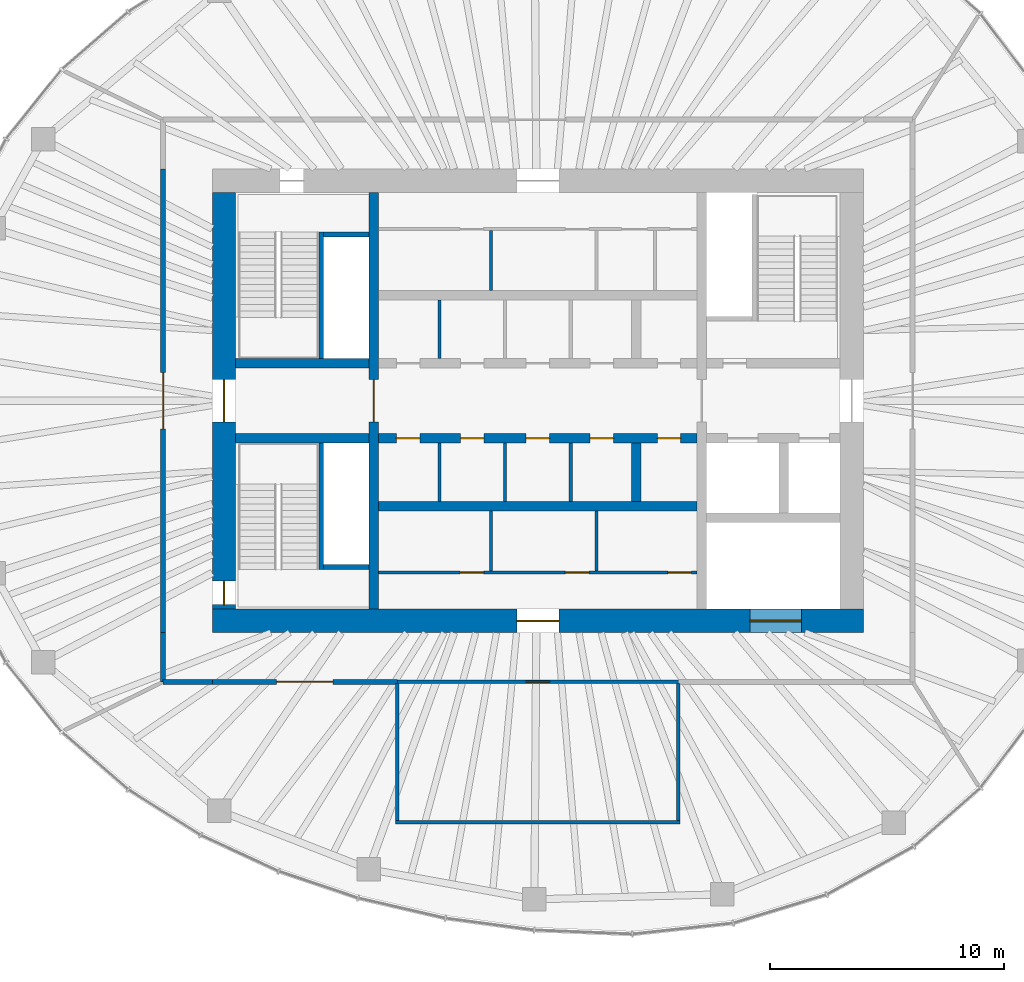
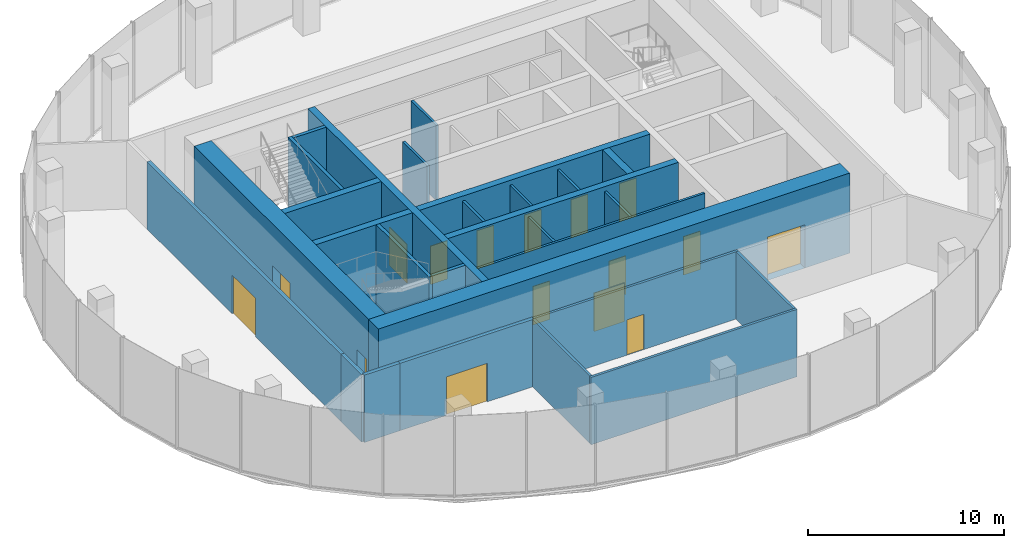
# One storey, part 8 of 11: 28 walls, 16 doors, 16 openings.
"""IFC4 building model written with IfcOpenShell, lengths in metres."""

import ifcopenshell
import ifcopenshell.guid

model = None  # the IFC model being written
_history = None  # IfcOwnerHistory: only IFC2X3 demands one
_inside = {}  # id of a spatial element -> (the spatial element, [elements in it])
_under = {}  # id of a project, library or spatial element -> (it, [spatial elements below it])
_declared = {}  # id of a project -> (the project, [libraries it declares])
_typed = {}  # id of a type object -> (the type object, [elements of that type])
_made_of = {}  # id of a material, layer set ... -> (it, [elements and type objects made of it])


def new_model(schema):
    """Start an empty IFC model of exactly this schema.

    Asked for "IFC4X3", IfcOpenShell would pick the latest addendum, in which some entities
    have other attributes; the version numbers below select the first issue.
    IFC2X3 requires an IfcOwnerHistory on every rooted entity: one is made here for all.
    """
    global model, _history
    if schema == "IFC4X3":
        model = ifcopenshell.file(schema_version=(4, 3, 0, 0))
    else:
        model = ifcopenshell.file(schema=schema)
    _inside.clear()
    _under.clear()
    _declared.clear()
    _typed.clear()
    _made_of.clear()
    _history = None
    if model.schema == "IFC2X3":
        org = make("IfcOrganization", Name="unknown")
        user = make(
            "IfcPersonAndOrganization",
            ThePerson=make("IfcPerson", FamilyName="unknown"),
            TheOrganization=org,
        )
        app = make(
            "IfcApplication",
            ApplicationDeveloper=org,
            Version="unknown",
            ApplicationFullName="unknown",
            ApplicationIdentifier="unknown",
        )
        _history = make(
            "IfcOwnerHistory",
            OwningUser=user,
            OwningApplication=app,
            ChangeAction="ADDED",
            CreationDate=0,
        )
    return model


def make(cls, **values):
    """One entity of the class cls with the attributes given. An attribute that is None is left unset."""
    return model.create_entity(
        cls, **{name: value for name, value in values.items() if value is not None}
    )


def rooted(cls, **values):
    """An entity with a GlobalId (a new one), such as an element, a storey or a relation."""
    return make(cls, GlobalId=ifcopenshell.guid.new(), OwnerHistory=_history, **values)


def si_unit(unit_type, name, prefix=None):
    """IfcSIUnit, for example si_unit("LENGTHUNIT", "METRE", prefix="MILLI")."""
    return make("IfcSIUnit", UnitType=unit_type, Prefix=prefix, Name=name)


def assignment(units):
    """IfcUnitAssignment: the units of a project."""
    return None if units is None else make("IfcUnitAssignment", Units=units)


def point(xyz):
    """IfcCartesianPoint."""
    return None if xyz is None else make("IfcCartesianPoint", Coordinates=xyz)


def direction(xyz):
    """IfcDirection."""
    return None if xyz is None else make("IfcDirection", DirectionRatios=xyz)


def frame(location, z_axis=None, x_axis=None):
    """IfcAxis2Placement3D, a coordinate frame: its origin and axes. An axis left out is left unset."""
    return make(
        "IfcAxis2Placement3D",
        Location=point(location),
        Axis=direction(z_axis),
        RefDirection=direction(x_axis),
    )


def frame_2d(location, x_axis=None):
    """IfcAxis2Placement2D, a coordinate frame in the plane: its origin and x axis."""
    return make(
        "IfcAxis2Placement2D", Location=point(location), RefDirection=direction(x_axis)
    )


def origin():
    """The frame at (0, 0, 0) with its axes left unset."""
    return frame((0.0, 0.0, 0.0))


def place(relative_to, where):
    """IfcLocalPlacement: puts the frame where relative to a parent placement (None: the world)."""
    return make(
        "IfcLocalPlacement", PlacementRelTo=relative_to, RelativePlacement=where
    )


def context(
    kind, dimensions, precision=None, world=None, true_north=None, identifier=None
):
    """IfcGeometricRepresentationContext, for example the 3D "Model" context."""
    return make(
        "IfcGeometricRepresentationContext",
        ContextIdentifier=identifier,
        ContextType=kind,
        CoordinateSpaceDimension=dimensions,
        Precision=precision,
        WorldCoordinateSystem=world,
        TrueNorth=true_north,
    )


def subcontext(parent, identifier, kind, view, scale=None):
    """IfcGeometricRepresentationSubContext, for example "Body" below "Model"."""
    return make(
        "IfcGeometricRepresentationSubContext",
        ContextIdentifier=identifier,
        ContextType=kind,
        ParentContext=parent,
        TargetScale=scale,
        TargetView=view,
    )


def project(units=None, contexts=None):
    """IfcProject with its units and contexts."""
    return rooted(
        "IfcProject",
        Name="project",
        RepresentationContexts=contexts,
        UnitsInContext=assignment(units),
    )


def spatial(cls, under=None, at=None, **own):
    """A site, building, storey or space (cls), placed at a placement, below another one or the project."""
    s = rooted(cls, ObjectPlacement=at, **own)
    if under is not None:
        _under.setdefault(under.id(), (under, []))[1].append(s)
    return s


def profile(cls, at=None, kind="AREA", **sizes):
    """A parametric profile (cls). Its sizes go by their IFC names, for example OverallWidth=200.0."""
    return make(cls, ProfileType=kind, Position=at, **sizes)


def rectangle(**sizes):
    """IfcRectangleProfileDef."""
    return profile("IfcRectangleProfileDef", **sizes)


def extrude(swept, where, along, depth):
    """IfcExtrudedAreaSolid: the profile swept, set in the frame where, extruded along a direction by depth."""
    return make(
        "IfcExtrudedAreaSolid",
        SweptArea=swept,
        Position=where,
        ExtrudedDirection=direction(along),
        Depth=depth,
    )


def shape(context_of_items, identifier, shape_type, items):
    """IfcShapeRepresentation: the items that make up one representation, for example the "Body"."""
    return make(
        "IfcShapeRepresentation",
        ContextOfItems=context_of_items,
        RepresentationIdentifier=identifier,
        RepresentationType=shape_type,
        Items=items,
    )


def material(Name=None, Category=None):
    """IfcMaterial."""
    return make("IfcMaterial", Name=Name, Category=Category)


def layer(
    of_material, thickness, ventilated=None, Name=None, Category=None, Priority=None
):
    """IfcMaterialLayer: one layer of a wall or slab, of a material (None: an air gap)."""
    return make(
        "IfcMaterialLayer",
        Material=of_material,
        LayerThickness=thickness,
        IsVentilated=ventilated,
        Name=Name,
        Category=Category,
        Priority=Priority,
    )


def layer_set(layers, Name=None):
    """IfcMaterialLayerSet."""
    return make("IfcMaterialLayerSet", MaterialLayers=layers, LayerSetName=Name)


def made_of(thing, what):
    """Note that an element or type object is made of a material, layer set ...; save() writes the relation."""
    if what is not None:
        _made_of.setdefault(what.id(), (what, []))[1].append(thing)
    return thing


def type_object(cls, material=None, **own):
    """A type object (cls), such as IfcWallType, which elements share."""
    return made_of(rooted(cls, **own), material)


def element(
    cls,
    number,
    at=None,
    inside=None,
    cuts=None,
    type_object=None,
    material=None,
    context=None,
    identifier="Body",
    shape_type=None,
    held_by="IfcProductDefinitionShape",
    body=None,
    shapes=None,
    **own,
):
    """One element of the class cls, such as IfcWall. Its Tag is "e" and its number.

    at: its placement. inside: the storey or other place that contains it. cuts: it is an
    opening in that element (IfcRelVoidsElement). A single representation is given by context,
    identifier, shape_type and body (its items); several are given by shapes. held_by: the class
    of the entity that holds the representations. save() writes the other relations.
    """
    e = rooted(cls, Tag="e%d" % number, ObjectPlacement=at, **own)
    if body is not None:
        shapes = [shape(context, identifier, shape_type, body)]
    if shapes is not None:
        e.Representation = make(held_by, Representations=shapes)
    if inside is not None:
        _inside.setdefault(inside.id(), (inside, []))[1].append(e)
    if cuts is not None:
        rooted(
            "IfcRelVoidsElement", RelatingBuildingElement=cuts, RelatedOpeningElement=e
        )
    if type_object is not None:
        _typed.setdefault(type_object.id(), (type_object, []))[1].append(e)
    return made_of(e, material)


def fill(opening, filler):
    """IfcRelFillsElement: the door or window that sits in an opening."""
    return rooted(
        "IfcRelFillsElement",
        RelatingOpeningElement=opening,
        RelatedBuildingElement=filler,
    )


def aggregate(whole, parts):
    """IfcRelAggregates: a whole, such as a stair, and the parts it consists of."""
    return rooted("IfcRelAggregates", RelatingObject=whole, RelatedObjects=parts)


def save(model, path):
    """Write the relations noted so far, then the file.

    IfcRelAggregates (storeys below a building ...), IfcRelContainedInSpatialStructure (elements
    in a storey), IfcRelDefinesByType, IfcRelAssociatesMaterial and IfcRelDeclares: one each for
    every whole, place, type object, material and project.
    """
    for whole, parts in _under.values():
        aggregate(whole, parts)
    for where, things in _inside.values():
        rooted(
            "IfcRelContainedInSpatialStructure",
            RelatedElements=things,
            RelatingStructure=where,
        )
    for kind, things in _typed.values():
        rooted("IfcRelDefinesByType", RelatedObjects=things, RelatingType=kind)
    for what, things in _made_of.values():
        rooted("IfcRelAssociatesMaterial", RelatedObjects=things, RelatingMaterial=what)
    for by, libraries in _declared.values():
        rooted("IfcRelDeclares", RelatingContext=by, RelatedDefinitions=libraries)
    model.write(path)


model = new_model("IFC4")

# Units and contexts
model_context = context("Model", 3, precision=1e-05, world=origin(), true_north=direction((0.0, 1.0)))
body_context = subcontext(model_context, "Body", "Model", "MODEL_VIEW")
ifc_project = project(units=[si_unit("LENGTHUNIT", "METRE"), si_unit("AREAUNIT", "SQUARE_METRE"), si_unit("VOLUMEUNIT", "CUBIC_METRE"), si_unit("PLANEANGLEUNIT", "RADIAN"), si_unit("MASSUNIT", "GRAM", prefix="KILO")], contexts=[model_context])

# Site, building, storey
site_placement = place(None, origin())
site = spatial("IfcSite", under=ifc_project, at=site_placement, CompositionType="ELEMENT")
building_placement = place(site_placement, origin())
building = spatial("IfcBuilding", under=site, at=building_placement, Name="Ghaith Harvest Tower", CompositionType="ELEMENT")
storey_placement = place(building_placement, frame((0.0, 0.0, 344.199951171875)))
storey = spatial("IfcBuildingStorey", under=building, at=storey_placement, Name="L77", CompositionType="ELEMENT", Elevation=344.199951171875)

# Wall
ifc_material_1 = material(Name="Concrete blockwork, 1-hour", Category="masonry")
ifc_layer_1 = layer(ifc_material_1, 0.215087890625)
ifc_layer_set_1 = layer_set([ifc_layer_1], Name="BLOCKWORK WALL 215")
wall_type_1 = type_object("IfcWallType", Name="BLOCKWORK WALL 215", PredefinedType="PARTITIONING", material=ifc_layer_set_1)
wall_1_placement = place(storey_placement, frame((-16.0, -12.0, 0.0), z_axis=(0.0, 0.0, 1.0), x_axis=(1.0, 0.0, 0.0)))
element("IfcWall", 1, at=wall_1_placement, inside=storey, type_object=wall_type_1, Name="Plant room wall L77", PredefinedType="PARTITIONING", context=body_context, shape_type="SweptSolid", body=[
    extrude(rectangle(XDim=2.10009765625, YDim=0.215087890625, at=frame_2d((1.050048828125, 0.0))), origin(), (0.0, 0.0, 1.0), 4.199951171875),
])

# Wall, opening, door
wall_2_placement = place(storey_placement, frame((-13.89990234375, -12.0, 0.0), z_axis=(0.0, 0.0, 1.0), x_axis=(1.0, 0.0, 0.0)))
wall_2 = element("IfcWall", 2, at=wall_2_placement, inside=storey, type_object=wall_type_1, Name="Plant room wall L77", PredefinedType="PARTITIONING", context=body_context, shape_type="SweptSolid", body=[
    extrude(rectangle(XDim=7.89990234375, YDim=0.215087890625, at=frame_2d((3.949951171875, 0.0))), origin(), (0.0, 0.0, 1.0), 4.199951171875),
])
opening_1_placement = place(wall_2_placement, frame((2.75, 0.0, 0.0)))
opening_1 = element("IfcOpeningElement", 3, at=opening_1_placement, cuts=wall_2, Name="Opening 77-033", PredefinedType="OPENING", context=body_context, shape_type="SweptSolid", body=[
    extrude(rectangle(XDim=2.39990234375, YDim=2.39990234375, at=frame_2d((1.199951171875, 1.199951171875))), frame((0.0, 0.11767578125, 0.0), z_axis=(0.0, -1.0, 0.0), x_axis=(1.0, 0.0, 0.0)), (0.0, 0.0, 1.0), 0.235107421875),
])
ifc_material_2 = material(Name="Timber door", Category="wood")
door_type_1 = type_object("IfcDoorType", Name="D10 PLANT PAIR 2400x2400", OperationType="DOUBLE_DOOR_SINGLE_SWING", PredefinedType="DOOR", material=ifc_material_2)
door_1_placement = place(opening_1_placement, origin())
door_1 = element("IfcDoor", 4, at=door_1_placement, inside=storey, type_object=door_type_1, Name="Air handling plant room south door", OperationType="DOUBLE_DOOR_SINGLE_SWING", OverallHeight=2.39990234375, OverallWidth=2.39990234375, PredefinedType="DOOR", context=body_context, shape_type="SweptSolid", body=[
    extrude(rectangle(XDim=2.39990234375, YDim=2.39990234375, at=frame_2d((1.199951171875, 1.199951171875))), frame((0.0, 0.02490234375, 0.0), z_axis=(0.0, -1.0, 0.0), x_axis=(1.0, 0.0, 0.0)), (0.0, 0.0, 1.0), 0.050048828125),
])
fill(opening_1, door_1)

wall_3_placement = place(storey_placement, frame((-16.0, 9.89990234375, 0.0), z_axis=(0.0, 0.0, 1.0), x_axis=(0.0, -1.0, 0.0)))
wall_3 = element("IfcWall", 5, at=wall_3_placement, inside=storey, type_object=wall_type_1, Name="Plant room wall L77", PredefinedType="PARTITIONING", context=body_context, shape_type="SweptSolid", body=[
    extrude(rectangle(XDim=19.7998046875, YDim=0.215087890625, at=frame_2d((9.89990234375, 0.0))), origin(), (0.0, 0.0, 1.0), 4.199951171875),
])
opening_2_placement = place(wall_3_placement, frame((8.699951171875, 0.0, 0.0)))
opening_2 = element("IfcOpeningElement", 6, at=opening_2_placement, cuts=wall_3, Name="Opening 77-034", PredefinedType="OPENING", context=body_context, shape_type="SweptSolid", body=[
    extrude(rectangle(XDim=2.39990234375, YDim=2.39990234375, at=frame_2d((1.199951171875, 1.199951171875))), frame((0.0, 0.11767578125, 0.0), z_axis=(0.0, -1.0, 0.0), x_axis=(1.0, 0.0, 0.0)), (0.0, 0.0, 1.0), 0.235107421875),
])
door_2_placement = place(opening_2_placement, origin())
door_2 = element("IfcDoor", 7, at=door_2_placement, inside=storey, type_object=door_type_1, Name="Lift machine plant room west door", OperationType="DOUBLE_DOOR_SINGLE_SWING", OverallHeight=2.39990234375, OverallWidth=2.39990234375, PredefinedType="DOOR", context=body_context, shape_type="SweptSolid", body=[
    extrude(rectangle(XDim=2.39990234375, YDim=2.39990234375, at=frame_2d((1.199951171875, 1.199951171875))), frame((0.0, 0.02490234375, 0.0), z_axis=(0.0, -1.0, 0.0), x_axis=(1.0, 0.0, 0.0)), (0.0, 0.0, 1.0), 0.050048828125),
])
fill(opening_2, door_2)

# Walls
wall_4_placement = place(storey_placement, frame((-16.0, -9.89990234375, 0.0), z_axis=(0.0, 0.0, 1.0), x_axis=(0.0, -1.0, 0.0)))
element("IfcWall", 8, at=wall_4_placement, inside=storey, type_object=wall_type_1, Name="Plant room wall L77", PredefinedType="PARTITIONING", context=body_context, shape_type="SweptSolid", body=[
    extrude(rectangle(XDim=2.10009765625, YDim=0.215087890625, at=frame_2d((1.050048828125, 0.0))), origin(), (0.0, 0.0, 1.0), 4.199951171875),
])
ifc_material_3 = material(Name="Concrete blockwork, fair-faced", Category="masonry")
ifc_layer_2 = layer(ifc_material_3, 0.139892578125)
ifc_layer_set_2 = layer_set([ifc_layer_2], Name="CORE PARTITION 140")
wall_type_2 = type_object("IfcWallType", Name="CORE PARTITION 140", PredefinedType="PARTITIONING", material=ifc_layer_set_2)
wall_5_placement = place(storey_placement, frame((-2.0, 4.699951171875, 0.0), z_axis=(0.0, 0.0, 1.0), x_axis=(0.0, 1.0, 0.0)))
element("IfcWall", 9, at=wall_5_placement, inside=storey, type_object=wall_type_2, Name="Core partition L77", PredefinedType="PARTITIONING", context=body_context, shape_type="SweptSolid", body=[
    extrude(rectangle(XDim=2.56005859375, YDim=0.139892578125, at=frame_2d((1.280029296875, 0.0))), origin(), (0.0, 0.0, 1.0), 4.699951171875),
])

# Wall, openings, doors
wall_6_placement = place(storey_placement, frame((-6.800048828125, -7.330078125, 0.0), z_axis=(0.0, 0.0, 1.0), x_axis=(1.0, 0.0, 0.0)))
wall_6 = element("IfcWall", 10, at=wall_6_placement, inside=storey, type_object=wall_type_2, Name="Core partition L77", PredefinedType="PARTITIONING", context=body_context, shape_type="SweptSolid", body=[
    extrude(rectangle(XDim=13.60009765625, YDim=0.139892578125, at=frame_2d((6.800048828125, 0.0))), origin(), (0.0, 0.0, 1.0), 4.699951171875),
])
opening_3_placement = place(wall_6_placement, frame((3.47998046875, 0.0, 0.0)))
opening_3 = element("IfcOpeningElement", 11, at=opening_3_placement, cuts=wall_6, Name="Opening 77-012", PredefinedType="OPENING", context=body_context, shape_type="SweptSolid", body=[
    extrude(rectangle(XDim=1.0, YDim=2.39990234375, at=frame_2d((0.5, 1.199951171875))), frame((0.0, 0.080078125, 0.0), z_axis=(0.0, -1.0, 0.0), x_axis=(1.0, 0.0, 0.0)), (0.0, 0.0, 1.0), 0.159912109375),
])
opening_4_placement = place(wall_6_placement, frame((7.97998046875, 0.0, 0.0)))
opening_4 = element("IfcOpeningElement", 12, at=opening_4_placement, cuts=wall_6, Name="Opening 77-013", PredefinedType="OPENING", context=body_context, shape_type="SweptSolid", body=[
    extrude(rectangle(XDim=1.0, YDim=2.39990234375, at=frame_2d((0.5, 1.199951171875))), frame((0.0, 0.080078125, 0.0), z_axis=(0.0, -1.0, 0.0), x_axis=(1.0, 0.0, 0.0)), (0.0, 0.0, 1.0), 0.159912109375),
])
opening_5_placement = place(wall_6_placement, frame((12.35009765625, 0.0, 0.0)))
opening_5 = element("IfcOpeningElement", 13, at=opening_5_placement, cuts=wall_6, Name="Opening 77-014", PredefinedType="OPENING", context=body_context, shape_type="SweptSolid", body=[
    extrude(rectangle(XDim=1.0, YDim=2.39990234375, at=frame_2d((0.5, 1.199951171875))), frame((0.0, 0.080078125, 0.0), z_axis=(0.0, -1.0, 0.0), x_axis=(1.0, 0.0, 0.0)), (0.0, 0.0, 1.0), 0.159912109375),
])
ifc_material_4 = material(Name="Steel fire door", Category="steel")
door_type_2 = type_object("IfcDoorType", Name="D3 FD90 1000x2400", OperationType="SINGLE_SWING_LEFT", PredefinedType="DOOR", material=ifc_material_4)
door_3_placement = place(opening_3_placement, origin())
door_3 = element("IfcDoor", 14, at=door_3_placement, inside=storey, type_object=door_type_2, Name="Electrical room door", OperationType="SINGLE_SWING_LEFT", OverallHeight=2.39990234375, OverallWidth=1.0, PredefinedType="DOOR", context=body_context, shape_type="SweptSolid", body=[
    extrude(rectangle(XDim=1.0, YDim=2.39990234375, at=frame_2d((0.5, 1.199951171875))), frame((0.0, 0.02490234375, 0.0), z_axis=(0.0, -1.0, 0.0), x_axis=(1.0, 0.0, 0.0)), (0.0, 0.0, 1.0), 0.050048828125),
])
fill(opening_3, door_3)
door_4_placement = place(opening_4_placement, origin())
door_4 = element("IfcDoor", 15, at=door_4_placement, inside=storey, type_object=door_type_2, Name="Communications equipment room door", OperationType="SINGLE_SWING_RIGHT", OverallHeight=2.39990234375, OverallWidth=1.0, PredefinedType="DOOR", context=body_context, shape_type="SweptSolid", body=[
    extrude(rectangle(XDim=1.0, YDim=2.39990234375, at=frame_2d((0.5, 1.199951171875))), frame((0.0, 0.02490234375, 0.0), z_axis=(0.0, -1.0, 0.0), x_axis=(1.0, 0.0, 0.0)), (0.0, 0.0, 1.0), 0.050048828125),
])
fill(opening_4, door_4)
door_5_placement = place(opening_5_placement, origin())
door_5 = element("IfcDoor", 16, at=door_5_placement, inside=storey, type_object=door_type_2, Name="Riser room door", OperationType="SINGLE_SWING_RIGHT", OverallHeight=2.39990234375, OverallWidth=1.0, PredefinedType="DOOR", context=body_context, shape_type="SweptSolid", body=[
    extrude(rectangle(XDim=1.0, YDim=2.39990234375, at=frame_2d((0.5, 1.199951171875))), frame((0.0, 0.02490234375, 0.0), z_axis=(0.0, -1.0, 0.0), x_axis=(1.0, 0.0, 0.0)), (0.0, 0.0, 1.0), 0.050048828125),
])
fill(opening_5, door_5)

# Walls
for number, where, z_axis, x_axis, name in (
    (17, (-2.0, -4.699951171875, 0.0), (0.0, 0.0, 1.0), (0.0, -1.0, 0.0), "Core partition L77"),
    (18, (2.5, -4.699951171875, 0.0), (0.0, 0.0, 1.0), (0.0, -1.0, 0.0), "Core partition L77"),
):
    element("IfcWall", number, at=place(storey_placement, frame(where, z_axis=z_axis, x_axis=x_axis)), inside=storey, type_object=wall_type_2, Name=name, PredefinedType="PARTITIONING", context=body_context, shape_type="SweptSolid", body=[
        extrude(rectangle(XDim=2.56005859375, YDim=0.139892578125, at=frame_2d((1.280029296875, 0.0))), origin(), (0.0, 0.0, 1.0), 4.699951171875),
    ])
for number, where, z_axis, x_axis, name in (
    (19, (-4.199951171875, 1.800048828125, 0.0), (0.0, 0.0, 1.0), (0.0, 1.0, 0.0), "Core partition L77"),
    (20, (-4.199951171875, -1.800048828125, 0.0), (0.0, 0.0, 1.0), (0.0, -1.0, 0.0), "Core partition L77"),
    (21, (-1.39990234375, -1.800048828125, 0.0), (0.0, 0.0, 1.0), (0.0, -1.0, 0.0), "Core partition L77"),
    (22, (1.39990234375, -1.800048828125, 0.0), (0.0, 0.0, 1.0), (0.0, -1.0, 0.0), "Core partition L77"),
):
    element("IfcWall", number, at=place(storey_placement, frame(where, z_axis=z_axis, x_axis=x_axis)), inside=storey, type_object=wall_type_2, Name=name, PredefinedType="PARTITIONING", context=body_context, shape_type="SweptSolid", body=[
        extrude(rectangle(XDim=2.5, YDim=0.139892578125, at=frame_2d((1.25, 0.0))), origin(), (0.0, 0.0, 1.0), 4.699951171875),
    ])

# Wall, openings, doors
ifc_material_5 = material(Name="Concrete C50/60", Category="concrete")
ifc_layer_3 = layer(ifc_material_5, 1.0)
ifc_layer_set_3 = layer_set([ifc_layer_3], Name="CORE WALL CW1000")
wall_type_3 = type_object("IfcWallType", Name="CORE WALL CW1000", PredefinedType="SHEAR", material=ifc_layer_set_3)
wall_7_placement = place(storey_placement, frame((-13.89990234375, -9.39990234375, 0.0), z_axis=(0.0, 0.0, 1.0), x_axis=(1.0, 0.0, 0.0)))
wall_7 = element("IfcWall", 23, at=wall_7_placement, inside=storey, type_object=wall_type_3, Name="Core wall S L77", PredefinedType="SHEAR", context=body_context, shape_type="SweptSolid", body=[
    extrude(rectangle(XDim=27.7998046875, YDim=1.0, at=frame_2d((13.89990234375, 0.0))), origin(), (0.0, 0.0, 1.0), 5.0),
])
opening_6_placement = place(wall_7_placement, frame((13.0, 0.0, 0.0)))
opening_6 = element("IfcOpeningElement", 24, at=opening_6_placement, cuts=wall_7, Name="Opening 77-026", PredefinedType="OPENING", context=body_context, shape_type="SweptSolid", body=[
    extrude(rectangle(XDim=1.800048828125, YDim=2.39990234375, at=frame_2d((0.89990234375, 1.199951171875))), frame((0.0, 0.510009765625, 0.0), z_axis=(0.0, -1.0, 0.0), x_axis=(1.0, 0.0, 0.0)), (0.0, 0.0, 1.0), 1.02001953125),
])
opening_7_placement = place(wall_7_placement, frame((22.949951171875, 0.0, 0.0)))
opening_7 = element("IfcOpeningElement", 25, at=opening_7_placement, cuts=wall_7, Name="Opening 77-029", PredefinedType="OPENING", context=body_context, shape_type="SweptSolid", body=[
    extrude(rectangle(XDim=2.199951171875, YDim=2.699951171875, at=frame_2d((1.10009765625, 1.35009765625))), frame((0.0, 0.510009765625, 0.0), z_axis=(0.0, -1.0, 0.0), x_axis=(1.0, 0.0, 0.0)), (0.0, 0.0, 1.0), 1.02001953125),
])
ifc_material_6 = material(Name="Steel fire door", Category="steel")
door_type_3 = type_object("IfcDoorType", Name="D4 FD90 PAIR 1800x2400", OperationType="DOUBLE_DOOR_SINGLE_SWING", PredefinedType="DOOR", material=ifc_material_6)
door_6_placement = place(opening_6_placement, origin())
door_6 = element("IfcDoor", 26, at=door_6_placement, inside=storey, type_object=door_type_3, Name="Core service corridor doors", OperationType="DOUBLE_DOOR_SINGLE_SWING", OverallHeight=2.39990234375, OverallWidth=1.800048828125, PredefinedType="DOOR", context=body_context, shape_type="SweptSolid", body=[
    extrude(rectangle(XDim=1.800048828125, YDim=2.39990234375, at=frame_2d((0.89990234375, 1.199951171875))), frame((0.0, 0.02490234375, 0.0), z_axis=(0.0, -1.0, 0.0), x_axis=(1.0, 0.0, 0.0)), (0.0, 0.0, 1.0), 0.050048828125),
])
fill(opening_6, door_6)
ifc_material_7 = material(Name="Steel fire door", Category="steel")
door_type_4 = type_object("IfcDoorType", Name="LD3 LANDING 2200x2700", OperationType="DOUBLE_DOOR_SLIDING", PredefinedType="DOOR", material=ifc_material_7)
door_7_placement = place(opening_7_placement, origin())
door_7 = element("IfcDoor", 27, at=door_7_placement, inside=storey, type_object=door_type_4, Name="Landing door, goods lift GL1", OperationType="DOUBLE_DOOR_SLIDING", OverallHeight=2.699951171875, OverallWidth=2.199951171875, PredefinedType="DOOR", context=body_context, shape_type="SweptSolid", body=[
    extrude(rectangle(XDim=2.199951171875, YDim=2.699951171875, at=frame_2d((1.10009765625, 1.35009765625))), frame((0.0, 0.02490234375, 0.0), z_axis=(0.0, -1.0, 0.0), x_axis=(1.0, 0.0, 0.0)), (0.0, 0.0, 1.0), 0.050048828125),
])
fill(opening_7, door_7)

wall_8_placement = place(storey_placement, frame((-13.39990234375, 8.89990234375, 0.0), z_axis=(0.0, 0.0, 1.0), x_axis=(0.0, -1.0, 0.0)))
wall_8 = element("IfcWall", 28, at=wall_8_placement, inside=storey, type_object=wall_type_3, Name="Core wall W L77", PredefinedType="SHEAR", context=body_context, shape_type="SweptSolid", body=[
    extrude(rectangle(XDim=17.7998046875, YDim=1.0, at=frame_2d((8.89990234375, 0.0))), origin(), (0.0, 0.0, 1.0), 5.0),
])
opening_8_placement = place(wall_8_placement, frame((8.0, 0.0, 0.0)))
opening_8 = element("IfcOpeningElement", 29, at=opening_8_placement, cuts=wall_8, Name="Opening 77-001", PredefinedType="OPENING", context=body_context, shape_type="SweptSolid", body=[
    extrude(rectangle(XDim=1.800048828125, YDim=2.39990234375, at=frame_2d((0.89990234375, 1.199951171875))), frame((0.0, 0.510009765625, 0.0), z_axis=(0.0, -1.0, 0.0), x_axis=(1.0, 0.0, 0.0)), (0.0, 0.0, 1.0), 1.02001953125),
])
opening_9_placement = place(wall_8_placement, frame((16.60009765625, 0.0, 0.0)))
opening_9 = element("IfcOpeningElement", 30, at=opening_9_placement, cuts=wall_8, Name="Opening 77-006", PredefinedType="OPENING", context=body_context, shape_type="SweptSolid", body=[
    extrude(rectangle(XDim=1.0, YDim=2.39990234375, at=frame_2d((0.5, 1.199951171875))), frame((0.0, 0.510009765625, 0.0), z_axis=(0.0, -1.0, 0.0), x_axis=(1.0, 0.0, 0.0)), (0.0, 0.0, 1.0), 1.02001953125),
])
door_8_placement = place(opening_9_placement, origin())
door_8 = element("IfcDoor", 31, at=door_8_placement, inside=storey, type_object=door_type_2, Name="Stair ST3 door", OperationType="SINGLE_SWING_RIGHT", OverallHeight=2.39990234375, OverallWidth=1.0, PredefinedType="DOOR", context=body_context, shape_type="SweptSolid", body=[
    extrude(rectangle(XDim=1.0, YDim=2.39990234375, at=frame_2d((0.5, 1.199951171875))), frame((0.0, 0.02490234375, 0.0), z_axis=(0.0, -1.0, 0.0), x_axis=(1.0, 0.0, 0.0)), (0.0, 0.0, 1.0), 0.050048828125),
])
fill(opening_9, door_8)
door_9_placement = place(opening_8_placement, origin())
door_9 = element("IfcDoor", 32, at=door_9_placement, inside=storey, type_object=door_type_3, Name="West lobby doors", OperationType="DOUBLE_DOOR_SINGLE_SWING", OverallHeight=2.39990234375, OverallWidth=1.800048828125, PredefinedType="DOOR", context=body_context, shape_type="SweptSolid", body=[
    extrude(rectangle(XDim=1.800048828125, YDim=2.39990234375, at=frame_2d((0.89990234375, 1.199951171875))), frame((0.0, 0.02490234375, 0.0), z_axis=(0.0, -1.0, 0.0), x_axis=(1.0, 0.0, 0.0)), (0.0, 0.0, 1.0), 0.050048828125),
])
fill(opening_8, door_9)

# Wall
ifc_material_8 = material(Name="Gypsum board on steel studs", Category="steel")
ifc_layer_4 = layer(ifc_material_8, 0.14990234375)
ifc_layer_set_4 = layer_set([ifc_layer_4], Name="PARTITION 150")
wall_type_4 = type_object("IfcWallType", Name="PARTITION 150", PredefinedType="PARTITIONING", material=ifc_layer_set_4)
wall_9_placement = place(storey_placement, frame((-6.074951171875, -18.0, 0.0), z_axis=(0.0, 0.0, 1.0), x_axis=(1.0, 0.0, 0.0)))
element("IfcWall", 33, at=wall_9_placement, inside=storey, type_object=wall_type_4, Name="Partition L77-01", PredefinedType="PARTITIONING", context=body_context, shape_type="SweptSolid", body=[
    extrude(rectangle(XDim=12.14990234375, YDim=0.14990234375, at=frame_2d((6.074951171875, 0.0))), origin(), (0.0, 0.0, 1.0), 4.199951171875),
])

# Wall, opening, door
wall_10_placement = place(storey_placement, frame((-6.074951171875, -12.0, 0.0), z_axis=(0.0, 0.0, 1.0), x_axis=(1.0, 0.0, 0.0)))
wall_10 = element("IfcWall", 34, at=wall_10_placement, inside=storey, type_object=wall_type_4, Name="Partition L77-01", PredefinedType="PARTITIONING", context=body_context, shape_type="SweptSolid", body=[
    extrude(rectangle(XDim=12.14990234375, YDim=0.14990234375, at=frame_2d((6.074951171875, 0.0))), origin(), (0.0, 0.0, 1.0), 4.199951171875),
])
opening_10_placement = place(wall_10_placement, frame((5.574951171875, 0.0, 0.0)))
opening_10 = element("IfcOpeningElement", 35, at=opening_10_placement, cuts=wall_10, Name="Opening 77-030", PredefinedType="OPENING", context=body_context, shape_type="SweptSolid", body=[
    extrude(rectangle(XDim=1.0, YDim=2.199951171875, at=frame_2d((0.5, 1.10009765625))), frame((0.0, 0.0849609375, 0.0), z_axis=(0.0, -1.0, 0.0), x_axis=(1.0, 0.0, 0.0)), (0.0, 0.0, 1.0), 0.169921875),
])
ifc_material_9 = material(Name="Timber door", Category="wood")
door_type_5 = type_object("IfcDoorType", Name="D1 SINGLE 1000x2200", OperationType="SINGLE_SWING_LEFT", PredefinedType="DOOR", material=ifc_material_9)
door_10_placement = place(opening_10_placement, origin())
door_10 = element("IfcDoor", 36, at=door_10_placement, inside=storey, type_object=door_type_5, Name="Lighting control equipment room door", OperationType="SINGLE_SWING_LEFT", OverallHeight=2.199951171875, OverallWidth=1.0, PredefinedType="DOOR", context=body_context, shape_type="SweptSolid", body=[
    extrude(rectangle(XDim=1.0, YDim=2.199951171875, at=frame_2d((0.5, 1.10009765625))), frame((0.0, 0.02490234375, 0.0), z_axis=(0.0, -1.0, 0.0), x_axis=(1.0, 0.0, 0.0)), (0.0, 0.0, 1.0), 0.050048828125),
])
fill(opening_10, door_10)

# Walls
for number, where, z_axis, x_axis, name in (
    (37, (-6.0, -17.925048828125, 0.0), (0.0, 0.0, 1.0), (0.0, 1.0, 0.0), "Partition L77-01"),
    (38, (6.0, -17.925048828125, 0.0), (0.0, 0.0, 1.0), (0.0, 1.0, 0.0), "Partition L77-01"),
):
    element("IfcWall", number, at=place(storey_placement, frame(where, z_axis=z_axis, x_axis=x_axis)), inside=storey, type_object=wall_type_4, Name=name, PredefinedType="PARTITIONING", context=body_context, shape_type="SweptSolid", body=[
        extrude(rectangle(XDim=5.85009765625, YDim=0.14990234375, at=frame_2d((2.925048828125, 0.0))), origin(), (0.0, 0.0, 1.0), 4.199951171875),
    ])

# Wall, opening, door
ifc_material_10 = material(Name="Concrete C70/85", Category="concrete")
ifc_layer_5 = layer(ifc_material_10, 0.39990234375)
ifc_layer_set_5 = layer_set([ifc_layer_5], Name="SHAFT WALL 400")
wall_type_5 = type_object("IfcWallType", Name="SHAFT WALL 400", PredefinedType="SHEAR", material=ifc_layer_set_5)
wall_11_placement = place(storey_placement, frame((-7.0, -8.89990234375, 0.0), z_axis=(0.0, 0.0, 1.0), x_axis=(0.0, 1.0, 0.0)))
wall_11 = element("IfcWall", 39, at=wall_11_placement, inside=storey, type_object=wall_type_5, Name="Shaft wall W7W L77", PredefinedType="SHEAR", context=body_context, shape_type="SweptSolid", body=[
    extrude(rectangle(XDim=17.7998046875, YDim=0.39990234375, at=frame_2d((8.89990234375, 0.0))), origin(), (0.0, 0.0, 1.0), 5.0),
])
opening_11_placement = place(wall_11_placement, frame((8.0, 0.0, 0.0)))
opening_11 = element("IfcOpeningElement", 40, at=opening_11_placement, cuts=wall_11, Name="Opening 77-003", PredefinedType="OPENING", context=body_context, shape_type="SweptSolid", body=[
    extrude(rectangle(XDim=1.800048828125, YDim=2.39990234375, at=frame_2d((0.89990234375, 1.199951171875))), frame((0.0, 0.2099609375, 0.0), z_axis=(0.0, -1.0, 0.0), x_axis=(1.0, 0.0, 0.0)), (0.0, 0.0, 1.0), 0.419921875),
])
door_11_placement = place(opening_11_placement, origin())
door_11 = element("IfcDoor", 41, at=door_11_placement, inside=storey, type_object=door_type_3, Name="Lift lobby doors, west", OperationType="DOUBLE_DOOR_SINGLE_SWING", OverallHeight=2.39990234375, OverallWidth=1.800048828125, PredefinedType="DOOR", context=body_context, shape_type="SweptSolid", body=[
    extrude(rectangle(XDim=1.800048828125, YDim=2.39990234375, at=frame_2d((0.89990234375, 1.199951171875))), frame((0.0, 0.02490234375, 0.0), z_axis=(0.0, -1.0, 0.0), x_axis=(1.0, 0.0, 0.0)), (0.0, 0.0, 1.0), 0.050048828125),
])
fill(opening_11, door_11)

# Wall, openings, doors
wall_12_placement = place(storey_placement, frame((-6.800048828125, -1.60009765625, 0.0), z_axis=(0.0, 0.0, 1.0), x_axis=(1.0, 0.0, 0.0)))
wall_12 = element("IfcWall", 42, at=wall_12_placement, inside=storey, type_object=wall_type_5, Name="Shaft wall LS L77", PredefinedType="SHEAR", context=body_context, shape_type="SweptSolid", body=[
    extrude(rectangle(XDim=13.60009765625, YDim=0.39990234375, at=frame_2d((6.800048828125, 0.0))), origin(), (0.0, 0.0, 1.0), 5.0),
])
opening_12_placement = place(wall_12_placement, frame((0.764892578125, 0.0, 0.0)))
opening_12 = element("IfcOpeningElement", 43, at=opening_12_placement, cuts=wall_12, Name="Opening 77-019", PredefinedType="OPENING", context=body_context, shape_type="SweptSolid", body=[
    extrude(rectangle(XDim=1.0, YDim=2.39990234375, at=frame_2d((0.5, 1.199951171875))), frame((0.0, 0.2099609375, 0.0), z_axis=(0.0, -1.0, 0.0), x_axis=(1.0, 0.0, 0.0)), (0.0, 0.0, 1.0), 0.419921875),
])
opening_13_placement = place(wall_12_placement, frame((3.5, 0.0, 0.0)))
opening_13 = element("IfcOpeningElement", 44, at=opening_13_placement, cuts=wall_12, Name="Opening 77-020", PredefinedType="OPENING", context=body_context, shape_type="SweptSolid", body=[
    extrude(rectangle(XDim=1.0, YDim=2.39990234375, at=frame_2d((0.5, 1.199951171875))), frame((0.0, 0.2099609375, 0.0), z_axis=(0.0, -1.0, 0.0), x_axis=(1.0, 0.0, 0.0)), (0.0, 0.0, 1.0), 0.419921875),
])
opening_14_placement = place(wall_12_placement, frame((6.300048828125, 0.0, 0.0)))
opening_14 = element("IfcOpeningElement", 45, at=opening_14_placement, cuts=wall_12, Name="Opening 77-021", PredefinedType="OPENING", context=body_context, shape_type="SweptSolid", body=[
    extrude(rectangle(XDim=1.0, YDim=2.39990234375, at=frame_2d((0.5, 1.199951171875))), frame((0.0, 0.2099609375, 0.0), z_axis=(0.0, -1.0, 0.0), x_axis=(1.0, 0.0, 0.0)), (0.0, 0.0, 1.0), 0.419921875),
])
opening_15_placement = place(wall_12_placement, frame((9.034912109375, 0.0, 0.0)))
opening_15 = element("IfcOpeningElement", 46, at=opening_15_placement, cuts=wall_12, Name="Opening 77-022", PredefinedType="OPENING", context=body_context, shape_type="SweptSolid", body=[
    extrude(rectangle(XDim=1.0, YDim=2.39990234375, at=frame_2d((0.5, 1.199951171875))), frame((0.0, 0.2099609375, 0.0), z_axis=(0.0, -1.0, 0.0), x_axis=(1.0, 0.0, 0.0)), (0.0, 0.0, 1.0), 0.419921875),
])
opening_16_placement = place(wall_12_placement, frame((11.89990234375, 0.0, 0.0)))
opening_16 = element("IfcOpeningElement", 47, at=opening_16_placement, cuts=wall_12, Name="Opening 77-024", PredefinedType="OPENING", context=body_context, shape_type="SweptSolid", body=[
    extrude(rectangle(XDim=1.0, YDim=2.39990234375, at=frame_2d((0.5, 1.199951171875))), frame((0.0, 0.2099609375, 0.0), z_axis=(0.0, -1.0, 0.0), x_axis=(1.0, 0.0, 0.0)), (0.0, 0.0, 1.0), 0.419921875),
])
door_12_placement = place(opening_12_placement, origin())
door_12 = element("IfcDoor", 48, at=door_12_placement, inside=storey, type_object=door_type_2, Name="Electrical switch room door", OperationType="SINGLE_SWING_LEFT", OverallHeight=2.39990234375, OverallWidth=1.0, PredefinedType="DOOR", context=body_context, shape_type="SweptSolid", body=[
    extrude(rectangle(XDim=1.0, YDim=2.39990234375, at=frame_2d((0.5, 1.199951171875))), frame((0.0, 0.02490234375, 0.0), z_axis=(0.0, -1.0, 0.0), x_axis=(1.0, 0.0, 0.0)), (0.0, 0.0, 1.0), 0.050048828125),
])
fill(opening_12, door_12)
door_13_placement = place(opening_13_placement, origin())
door_13 = element("IfcDoor", 49, at=door_13_placement, inside=storey, type_object=door_type_2, Name="Mechanical plant room door", OperationType="SINGLE_SWING_LEFT", OverallHeight=2.39990234375, OverallWidth=1.0, PredefinedType="DOOR", context=body_context, shape_type="SweptSolid", body=[
    extrude(rectangle(XDim=1.0, YDim=2.39990234375, at=frame_2d((0.5, 1.199951171875))), frame((0.0, 0.02490234375, 0.0), z_axis=(0.0, -1.0, 0.0), x_axis=(1.0, 0.0, 0.0)), (0.0, 0.0, 1.0), 0.050048828125),
])
fill(opening_13, door_13)
door_14_placement = place(opening_14_placement, origin())
door_14 = element("IfcDoor", 50, at=door_14_placement, inside=storey, type_object=door_type_2, Name="Mechanical plant room door", OperationType="SINGLE_SWING_LEFT", OverallHeight=2.39990234375, OverallWidth=1.0, PredefinedType="DOOR", context=body_context, shape_type="SweptSolid", body=[
    extrude(rectangle(XDim=1.0, YDim=2.39990234375, at=frame_2d((0.5, 1.199951171875))), frame((0.0, 0.02490234375, 0.0), z_axis=(0.0, -1.0, 0.0), x_axis=(1.0, 0.0, 0.0)), (0.0, 0.0, 1.0), 0.050048828125),
])
fill(opening_14, door_14)
door_15_placement = place(opening_15_placement, origin())
door_15 = element("IfcDoor", 51, at=door_15_placement, inside=storey, type_object=door_type_2, Name="Electrical switch room door", OperationType="SINGLE_SWING_RIGHT", OverallHeight=2.39990234375, OverallWidth=1.0, PredefinedType="DOOR", context=body_context, shape_type="SweptSolid", body=[
    extrude(rectangle(XDim=1.0, YDim=2.39990234375, at=frame_2d((0.5, 1.199951171875))), frame((0.0, 0.02490234375, 0.0), z_axis=(0.0, -1.0, 0.0), x_axis=(1.0, 0.0, 0.0)), (0.0, 0.0, 1.0), 0.050048828125),
])
fill(opening_15, door_15)
door_16_placement = place(opening_16_placement, origin())
door_16 = element("IfcDoor", 52, at=door_16_placement, inside=storey, type_object=door_type_2, Name="Mechanical plant room door", OperationType="SINGLE_SWING_RIGHT", OverallHeight=2.39990234375, OverallWidth=1.0, PredefinedType="DOOR", context=body_context, shape_type="SweptSolid", body=[
    extrude(rectangle(XDim=1.0, YDim=2.39990234375, at=frame_2d((0.5, 1.199951171875))), frame((0.0, 0.02490234375, 0.0), z_axis=(0.0, -1.0, 0.0), x_axis=(1.0, 0.0, 0.0)), (0.0, 0.0, 1.0), 0.050048828125),
])
fill(opening_16, door_16)

# Walls
wall_13_placement = place(storey_placement, frame((-6.800048828125, -4.5, 0.0), z_axis=(0.0, 0.0, 1.0), x_axis=(1.0, 0.0, 0.0)))
element("IfcWall", 53, at=wall_13_placement, inside=storey, type_object=wall_type_5, Name="Shaft wall BS L77", PredefinedType="SHEAR", context=body_context, shape_type="SweptSolid", body=[
    extrude(rectangle(XDim=13.60009765625, YDim=0.39990234375, at=frame_2d((6.800048828125, 0.0))), origin(), (0.0, 0.0, 1.0), 5.0),
])
for number, where, z_axis, x_axis, name in (
    (54, (-12.89990234375, 1.60009765625, 0.0), (0.0, 0.0, 1.0), (1.0, 0.0, 0.0), "Shaft wall WN L77"),
    (55, (-12.89990234375, -1.60009765625, 0.0), (0.0, 0.0, 1.0), (1.0, 0.0, 0.0), "Shaft wall WS L77"),
):
    element("IfcWall", number, at=place(storey_placement, frame(where, z_axis=z_axis, x_axis=x_axis)), inside=storey, type_object=wall_type_5, Name=name, PredefinedType="SHEAR", context=body_context, shape_type="SweptSolid", body=[
        extrude(rectangle(XDim=5.699951171875, YDim=0.39990234375, at=frame_2d((2.85009765625, 0.0))), origin(), (0.0, 0.0, 1.0), 5.0),
    ])
wall_14_placement = place(storey_placement, frame((4.199951171875, -4.300048828125, 0.0), z_axis=(0.0, 0.0, 1.0), x_axis=(0.0, 1.0, 0.0)))
element("IfcWall", 56, at=wall_14_placement, inside=storey, type_object=wall_type_5, Name="Shaft wall DS4 L77", PredefinedType="SHEAR", context=body_context, shape_type="SweptSolid", body=[
    extrude(rectangle(XDim=2.5, YDim=0.39990234375, at=frame_2d((1.25, 0.0))), origin(), (0.0, 0.0, 1.0), 5.0),
])
ifc_material_11 = material(Name="Concrete C40/50", Category="concrete")
ifc_layer_6 = layer(ifc_material_11, 0.199951171875)
ifc_layer_set_6 = layer_set([ifc_layer_6], Name="STAIR SPINE WALL RC200")
wall_type_6 = type_object("IfcWallType", Name="STAIR SPINE WALL RC200", PredefinedType="SOLIDWALL", material=ifc_layer_set_6)
wall_15_placement = place(storey_placement, frame((-9.25, 7.199951171875, 0.0), z_axis=(0.0, 0.0, 1.0), x_axis=(0.0, -1.0, 0.0)))
element("IfcWall", 57, at=wall_15_placement, inside=storey, type_object=wall_type_6, Name="Stair ST1 spine wall L77", PredefinedType="SOLIDWALL", context=body_context, shape_type="SweptSolid", body=[
    extrude(rectangle(XDim=5.39990234375, YDim=0.199951171875, at=frame_2d((2.699951171875, 0.0))), origin(), (0.0, 0.0, 1.0), 5.0),
])
wall_16_placement = place(storey_placement, frame((-9.14990234375, 7.10009765625, 0.0), z_axis=(0.0, 0.0, 1.0), x_axis=(1.0, 0.0, 0.0)))
element("IfcWall", 58, at=wall_16_placement, inside=storey, type_object=wall_type_6, Name="Stair ST1 spine wall return L77", PredefinedType="SOLIDWALL", context=body_context, shape_type="SweptSolid", body=[
    extrude(rectangle(XDim=1.949951171875, YDim=0.199951171875, at=frame_2d((0.97509765625, 0.0))), origin(), (0.0, 0.0, 1.0), 5.0),
])
wall_17_placement = place(storey_placement, frame((-9.25, -7.199951171875, 0.0), z_axis=(0.0, 0.0, 1.0), x_axis=(0.0, 1.0, 0.0)))
element("IfcWall", 59, at=wall_17_placement, inside=storey, type_object=wall_type_6, Name="Stair ST3 spine wall L77", PredefinedType="SOLIDWALL", context=body_context, shape_type="SweptSolid", body=[
    extrude(rectangle(XDim=5.39990234375, YDim=0.199951171875, at=frame_2d((2.699951171875, 0.0))), origin(), (0.0, 0.0, 1.0), 5.0),
])
wall_18_placement = place(storey_placement, frame((-9.14990234375, -7.10009765625, 0.0), z_axis=(0.0, 0.0, 1.0), x_axis=(1.0, 0.0, 0.0)))
element("IfcWall", 60, at=wall_18_placement, inside=storey, type_object=wall_type_6, Name="Stair ST3 spine wall return L77", PredefinedType="SOLIDWALL", context=body_context, shape_type="SweptSolid", body=[
    extrude(rectangle(XDim=1.949951171875, YDim=0.199951171875, at=frame_2d((0.97509765625, 0.0))), origin(), (0.0, 0.0, 1.0), 5.0),
])

save(model, "model.ifc")
